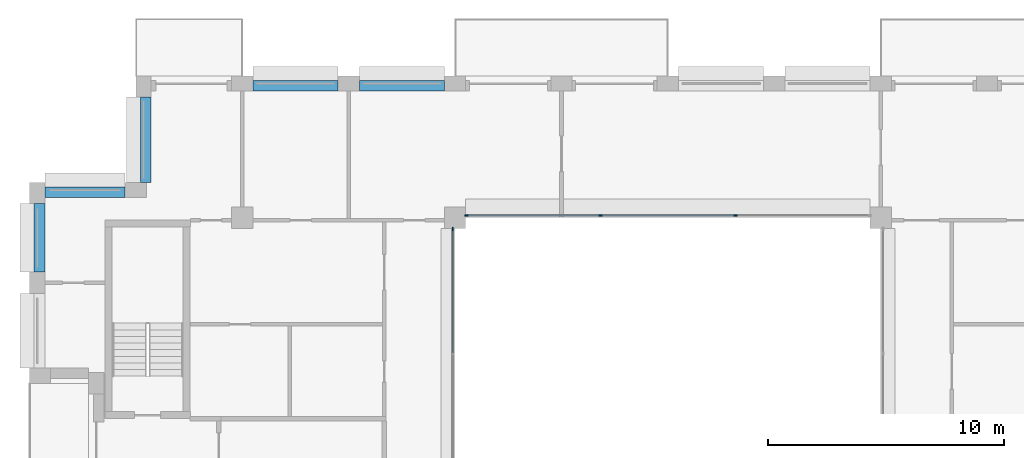
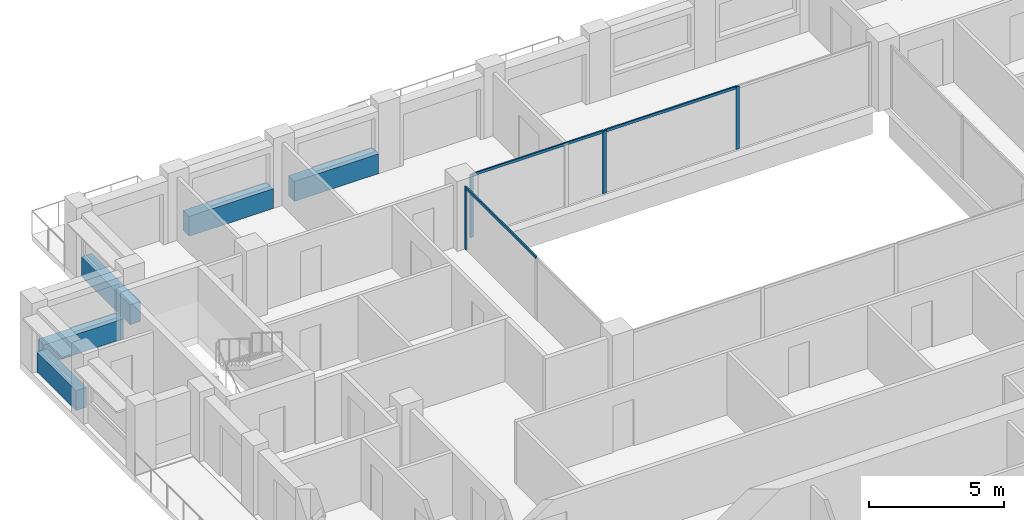
# One storey, part 5 of 15: 7 members, 5 beams, 2 elements without a shape of their own.
"""IFC4 building model written with IfcOpenShell, lengths in metres."""

from ifc_helpers import new_model, si_unit, direction, frame, origin, origin_2d, place, context, subcontext, project, spatial, rectangle, extrude, material, layer, layer_set, material_profile, profile_set, type_object, element, aggregate, save


model = new_model("IFC4")

# Units and contexts
model_context = context("Model", 3, precision=1e-05, world=origin(), true_north=direction((0.0, 1.0)))
body_context = subcontext(model_context, "Body", "Model", "MODEL_VIEW")
ifc_project = project(units=[si_unit("LENGTHUNIT", "METRE"), si_unit("AREAUNIT", "SQUARE_METRE"), si_unit("VOLUMEUNIT", "CUBIC_METRE"), si_unit("PLANEANGLEUNIT", "RADIAN"), si_unit("MASSUNIT", "GRAM", prefix="KILO")], contexts=[model_context])

# Site, building, storey
site_placement = place(None, origin())
site = spatial("IfcSite", under=ifc_project, at=site_placement, CompositionType="ELEMENT")
building_placement = place(site_placement, origin())
building = spatial("IfcBuilding", under=site, at=building_placement, Name="Brigalow Station Residences", CompositionType="ELEMENT")
storey_placement = place(building_placement, frame((0.0, 0.0, 226.35009765625)))
storey = spatial("IfcBuildingStorey", under=building, at=storey_placement, Name="L65", CompositionType="ELEMENT", Elevation=226.35009765625)

# Curtain wall, members
ifc_material_1 = material(Name="Aluminium", Category="aluminium")
ifc_layer = layer(ifc_material_1, 0.14990234375)
ifc_layer_set = layer_set([ifc_layer], Name="ATRIUM FIRE-RATED GLAZING CURTAIN WALL")
curtain_wall_type = type_object("IfcCurtainWallType", Name="ATRIUM FIRE-RATED GLAZING CURTAIN WALL", PredefinedType="NOTDEFINED", material=ifc_layer_set)
curtain_wall_1_placement = place(storey_placement, origin())
curtain_wall_1 = element("IfcCurtainWall", 1, at=curtain_wall_1_placement, inside=storey, type_object=curtain_wall_type, Name="L65/cw/atrium-N", PredefinedType="NOTDEFINED")
ifc_material_2 = material(Name="Aluminium", Category="aluminium")
ifc_material_profile_1 = material_profile(ifc_material_2, rectangle(XDim=0.06005859375, YDim=0.14990234375, at=origin_2d()), Name="ATRIUM FIRE-RATED GLAZING MULLION 60x150")
ifc_profile_set_1 = profile_set([ifc_material_profile_1], Name="Aluminium")
member_type_1 = type_object("IfcMemberType", Name="ATRIUM FIRE-RATED GLAZING MULLION 60x150", PredefinedType="MULLION", material=ifc_profile_set_1)
member_1_placement = place(storey_placement, frame((38.85009765625, 35.60009765625, 0.0), z_axis=(0.0, 0.0, 1.0), x_axis=(0.0, -1.0, 0.0)))
member_1 = element("IfcMember", 2, at=member_1_placement, type_object=member_type_1, Name="L65/cw/atrium-N/M01", PredefinedType="MULLION", context=body_context, shape_type="SweptSolid", body=[
    extrude(rectangle(XDim=0.06005859375, YDim=0.14990234375, at=origin_2d()), origin(), (0.0, 0.0, 1.0), 2.829833984375),
])
member_2_placement = place(storey_placement, frame((33.14990234375, 35.60009765625, 0.0), z_axis=(0.0, 0.0, 1.0), x_axis=(0.0, -1.0, 0.0)))
member_2 = element("IfcMember", 3, at=member_2_placement, type_object=member_type_1, Name="L65/cw/atrium-N/M02", PredefinedType="MULLION", context=body_context, shape_type="SweptSolid", body=[
    extrude(rectangle(XDim=0.06005859375, YDim=0.14990234375, at=origin_2d()), origin(), (0.0, 0.0, 1.0), 2.829833984375),
])
member_3_placement = place(storey_placement, frame((27.47998046875, 35.60009765625, 0.0), z_axis=(0.0, 0.0, 1.0), x_axis=(0.0, -1.0, 0.0)))
member_3 = element("IfcMember", 4, at=member_3_placement, type_object=member_type_1, Name="L65/cw/atrium-N/M03", PredefinedType="MULLION", context=body_context, shape_type="SweptSolid", body=[
    extrude(rectangle(XDim=0.06005859375, YDim=0.14990234375, at=origin_2d()), origin(), (0.0, 0.0, 1.0), 2.829833984375),
])

# Curtain wall, member
curtain_wall_2_placement = place(storey_placement, origin())
curtain_wall_2 = element("IfcCurtainWall", 5, at=curtain_wall_2_placement, inside=storey, type_object=curtain_wall_type, Name="L65/cw/atrium-W", PredefinedType="NOTDEFINED")
member_4_placement = place(storey_placement, frame((26.89990234375, 35.02001953125, 0.0), z_axis=(0.0, 0.0, 1.0), x_axis=(1.0, 0.0, 0.0)))
member_4 = element("IfcMember", 6, at=member_4_placement, type_object=member_type_1, Name="L65/cw/atrium-W/M00", PredefinedType="MULLION", context=body_context, shape_type="SweptSolid", body=[
    extrude(rectangle(XDim=0.06005859375, YDim=0.14990234375, at=origin_2d()), origin(), (0.0, 0.0, 1.0), 2.829833984375),
])

# Member
ifc_material_3 = material(Name="Aluminium", Category="aluminium")
ifc_material_profile_2 = material_profile(ifc_material_3, rectangle(XDim=0.06005859375, YDim=0.1201171875, at=origin_2d()), Name="ATRIUM FIRE-RATED GLAZING TRANSOM 60x120")
ifc_profile_set_2 = profile_set([ifc_material_profile_2], Name="Aluminium")
member_type_2 = type_object("IfcMemberType", Name="ATRIUM FIRE-RATED GLAZING TRANSOM 60x120", PredefinedType="USERDEFINED", material=ifc_profile_set_2)
member_5_placement = place(storey_placement, frame((38.820068359375, 35.60009765625, 2.7998046875), z_axis=(-1.0, 0.0, 0.0), x_axis=(0.0, -1.0, 0.0)))
member_5 = element("IfcMember", 7, at=member_5_placement, type_object=member_type_2, Name="L65/cw/atrium-N/T01-00", ObjectType="TRANSOM", PredefinedType="USERDEFINED", context=body_context, shape_type="SweptSolid", body=[
    extrude(rectangle(XDim=0.06005859375, YDim=0.1201171875, at=origin_2d()), origin(), (0.0, 0.0, 1.0), 5.64013671875),
])

member_6_placement = place(storey_placement, frame((33.1201171875, 35.60009765625, 2.7998046875), z_axis=(-1.0, 0.0, 0.0), x_axis=(0.0, -1.0, 0.0)))
member_6 = element("IfcMember", 8, at=member_6_placement, type_object=member_type_2, Name="L65/cw/atrium-N/T02-00", ObjectType="TRANSOM", PredefinedType="USERDEFINED", context=body_context, shape_type="SweptSolid", body=[
    extrude(rectangle(XDim=0.06005859375, YDim=0.1201171875, at=origin_2d()), origin(), (0.0, 0.0, 1.0), 5.610107421875),
])

aggregate(curtain_wall_1, [member_1, member_2, member_3, member_5, member_6])

member_7_placement = place(storey_placement, frame((26.89990234375, 34.989990234375, 2.7998046875), z_axis=(0.0, -1.0, 0.0), x_axis=(1.0, 0.0, 0.0)))
member_7 = element("IfcMember", 9, at=member_7_placement, type_object=member_type_2, Name="L65/cw/atrium-W/T00-00", ObjectType="TRANSOM", PredefinedType="USERDEFINED", context=body_context, shape_type="SweptSolid", body=[
    extrude(rectangle(XDim=0.06005859375, YDim=0.1201171875, at=origin_2d()), origin(), (0.0, 0.0, 1.0), 5.2099609375),
])

aggregate(curtain_wall_2, [member_4, member_7])

# Beams
ifc_material_4 = material(Name="Concrete C50", Category="concrete")
ifc_material_profile_3 = material_profile(ifc_material_4, rectangle(XDim=0.449951171875, YDim=0.89990234375, at=origin_2d()), Name="RC450x900")
ifc_profile_set_3 = profile_set([ifc_material_profile_3], Name="Concrete C50")
beam_type = type_object("IfcBeamType", Name="SPANDREL BEAM 450x900 C50", PredefinedType="SPANDREL", material=ifc_profile_set_3)
for number, where, z_axis, x_axis, name in (
    (10, (26.550048828125, 41.074951171875, 0.449951171875), (-1.0, 0.0, 0.0), (0.0, -1.0, 0.0), "L65/spandrel/W-L65-29"),
    (11, (22.050048828125, 41.074951171875, 0.449951171875), (-1.0, 0.0, 0.0), (0.0, -1.0, 0.0), "L65/spandrel/W-L65-30"),
    (12, (13.925048828125, 40.60009765625, 0.449951171875), (0.0, -1.0, 0.0), (1.0, 0.0, 0.0), "L65/spandrel/W-L65-32"),
):
    element("IfcBeam", number, at=place(storey_placement, frame(where, z_axis=z_axis, x_axis=x_axis)), inside=storey, type_object=beam_type, Name=name, PredefinedType="SPANDREL", context=body_context, shape_type="SweptSolid", body=[
        extrude(rectangle(XDim=0.449951171875, YDim=0.89990234375, at=origin_2d()), origin(), (0.0, 0.0, 1.0), 3.60009765625),
    ])
beam_1_placement = place(storey_placement, frame((13.050048828125, 36.574951171875, 0.449951171875), z_axis=(-1.0, 0.0, 0.0), x_axis=(0.0, -1.0, 0.0)))
element("IfcBeam", 13, at=beam_1_placement, inside=storey, type_object=beam_type, Name="L65/spandrel/W-L65-33", PredefinedType="SPANDREL", context=body_context, shape_type="SweptSolid", body=[
    extrude(rectangle(XDim=0.449951171875, YDim=0.89990234375, at=origin_2d()), origin(), (0.0, 0.0, 1.0), 3.400146484375),
])
beam_2_placement = place(storey_placement, frame((9.425048828125, 36.10009765625, 0.449951171875), z_axis=(0.0, -1.0, 0.0), x_axis=(1.0, 0.0, 0.0)))
element("IfcBeam", 14, at=beam_2_placement, inside=storey, type_object=beam_type, Name="L65/spandrel/W-L65-34", PredefinedType="SPANDREL", context=body_context, shape_type="SweptSolid", body=[
    extrude(rectangle(XDim=0.449951171875, YDim=0.89990234375, at=origin_2d()), origin(), (0.0, 0.0, 1.0), 2.900146484375),
])

save(model, "model.ifc")
